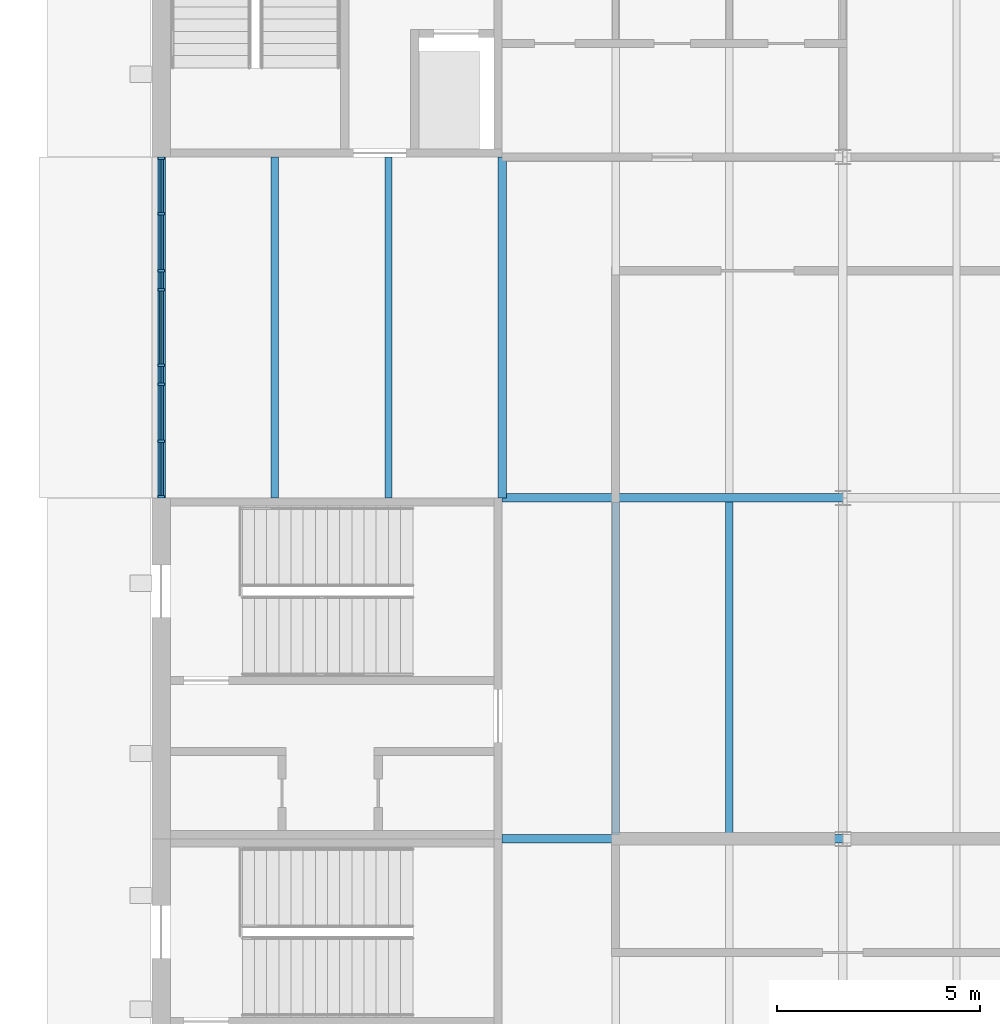
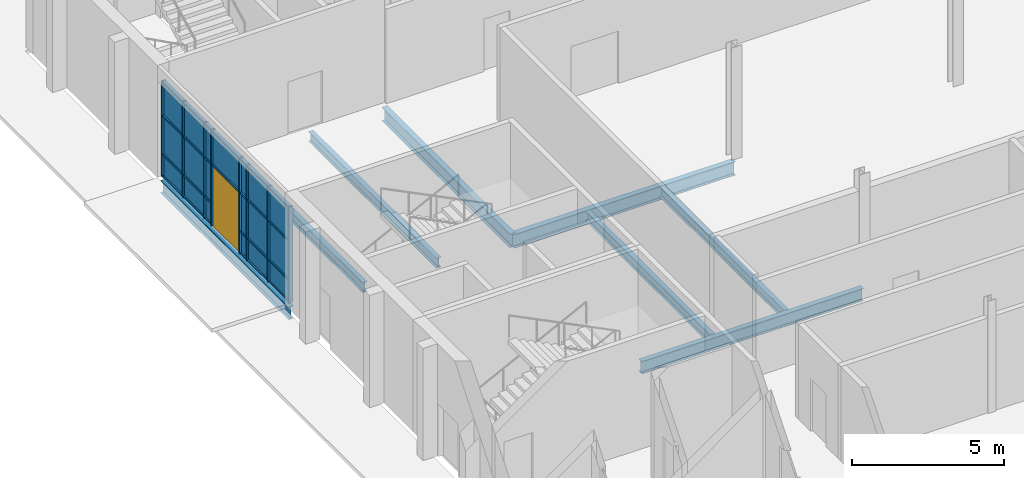
# One storey, part 52 of 116: 34 members, 19 plates, 8 beams, 1 door, 1 opening, 1 element without a shape of its own.
"""IFC4 building model written with IfcOpenShell, lengths in metres."""

from ifc_helpers import new_model, si_unit, direction, frame, frame_2d, origin, origin_2d, place, context, subcontext, project, spatial, rectangle, i_section, extrude, material, layer, layer_set, material_profile, profile_set, type_object, element, fill, aggregate, save


model = new_model("IFC4")

# Units and contexts
model_context = context("Model", 3, precision=1e-05, world=origin(), true_north=direction((0.0, 1.0)))
body_context = subcontext(model_context, "Body", "Model", "MODEL_VIEW")
ifc_project = project(units=[si_unit("LENGTHUNIT", "METRE"), si_unit("AREAUNIT", "SQUARE_METRE"), si_unit("VOLUMEUNIT", "CUBIC_METRE"), si_unit("PLANEANGLEUNIT", "RADIAN"), si_unit("MASSUNIT", "GRAM", prefix="KILO")], contexts=[model_context])

# Site, building, storey
site_placement = place(None, origin())
site = spatial("IfcSite", under=ifc_project, at=site_placement, CompositionType="ELEMENT")
building_placement = place(site_placement, origin())
building = spatial("IfcBuilding", under=site, at=building_placement, Name="Ardhachandra Cancer Care Centre", CompositionType="ELEMENT")
storey_placement = place(building_placement, origin())
storey = spatial("IfcBuildingStorey", under=building, at=storey_placement, Name="L00", CompositionType="ELEMENT", Elevation=0.0)

# Beams
ifc_material_1 = material(Name="Steel E350 (IS 2062)", Category="steel")
ifc_material_profile_1 = material_profile(ifc_material_1, i_section(OverallWidth=0.179931640625, OverallDepth=0.39990234375, WebThickness=0.008544921875, FlangeThickness=0.013427734375, FilletRadius=0.02099609375, at=origin_2d()), Name="NPB 400x180x66.30")
ifc_profile_set_1 = profile_set([ifc_material_profile_1], Name="Steel E350 (IS 2062)")
beam_type_1 = type_object("IfcBeamType", Name="Beam NPB 400x180x66.30", PredefinedType="BEAM", material=ifc_profile_set_1)
for number, where, z_axis, x_axis, name in (
    (1, (13.60009765625, 79.800048828125, -0.35009765625), (0.0, 1.0, 0.0), (-1.0, 0.0, 0.0), "Secondary J1-K1@2800"),
    (2, (16.39990234375, 79.800048828125, -0.35009765625), (0.0, 1.0, 0.0), (-1.0, 0.0, 0.0), "Secondary J1-K1@5600"),
):
    element("IfcBeam", number, at=place(storey_placement, frame(where, z_axis=z_axis, x_axis=x_axis)), inside=storey, type_object=beam_type_1, Name=name, PredefinedType="BEAM", context=body_context, shape_type="SweptSolid", body=[
        extrude(i_section(OverallWidth=0.179931640625, OverallDepth=0.39990234375, WebThickness=0.008544921875, FlangeThickness=0.013427734375, FilletRadius=0.02099609375, at=origin_2d()), origin(), (0.0, 0.0, 1.0), 8.39990234375),
    ])
for number, where, z_axis, x_axis, name in (
    (3, (22.0, 71.5, -0.35009765625), (0.0, 1.0, 0.0), (-1.0, 0.0, 0.0), "Secondary H2-J2@2800"),
    (4, (24.800048828125, 71.5, -0.35009765625), (0.0, 1.0, 0.0), (-1.0, 0.0, 0.0), "Secondary H2-J2@5600"),
):
    element("IfcBeam", number, at=place(storey_placement, frame(where, z_axis=z_axis, x_axis=x_axis)), inside=storey, type_object=beam_type_1, Name=name, PredefinedType="BEAM", context=body_context, shape_type="SweptSolid", body=[
        extrude(i_section(OverallWidth=0.179931640625, OverallDepth=0.39990234375, WebThickness=0.008544921875, FlangeThickness=0.013427734375, FilletRadius=0.02099609375, at=origin_2d()), origin(), (0.0, 0.0, 1.0), 8.195068359375),
    ])
ifc_material_2 = material(Name="Steel E350 (IS 2062)", Category="steel")
ifc_material_profile_2 = material_profile(ifc_material_2, i_section(OverallWidth=0.199951171875, OverallDepth=0.5, WebThickness=0.01025390625, FlangeThickness=0.01611328125, FilletRadius=0.02099609375, at=origin_2d()), Name="NPB 500x200x90.68")
ifc_profile_set_2 = profile_set([ifc_material_profile_2], Name="Steel E350 (IS 2062)")
beam_type_2 = type_object("IfcBeamType", Name="Beam NPB 500x200x90.68", PredefinedType="BEAM", material=ifc_profile_set_2)
beam_1_placement = place(storey_placement, frame((19.199951171875, 71.39990234375, -0.39990234375), z_axis=(1.0, 0.0, 0.0), x_axis=(0.0, 1.0, 0.0)))
element("IfcBeam", 5, at=beam_1_placement, inside=storey, type_object=beam_type_2, Name="Edge girder H2-H3", PredefinedType="BEAM", context=body_context, shape_type="SweptSolid", body=[
    extrude(i_section(OverallWidth=0.199951171875, OverallDepth=0.5, WebThickness=0.01025390625, FlangeThickness=0.01611328125, FilletRadius=0.02099609375, at=origin_2d()), origin(), (0.0, 0.0, 1.0), 8.400146484375),
])
beam_2_placement = place(storey_placement, frame((10.800048828125, 79.800048828125, -0.39990234375), z_axis=(0.0, 1.0, 0.0), x_axis=(-1.0, 0.0, 0.0)))
element("IfcBeam", 6, at=beam_2_placement, inside=storey, type_object=beam_type_2, Name="Edge girder J1-K1", PredefinedType="BEAM", context=body_context, shape_type="SweptSolid", body=[
    extrude(i_section(OverallWidth=0.199951171875, OverallDepth=0.5, WebThickness=0.01025390625, FlangeThickness=0.01611328125, FilletRadius=0.02099609375, at=origin_2d()), origin(), (0.0, 0.0, 1.0), 8.39990234375),
])
ifc_material_3 = material(Name="Steel E350 (IS 2062)", Category="steel")
ifc_material_profile_3 = material_profile(ifc_material_3, i_section(OverallWidth=0.2099609375, OverallDepth=0.550048828125, WebThickness=0.010986328125, FlangeThickness=0.01708984375, FilletRadius=0.02392578125, at=origin_2d()), Name="NPB 550x210x105.52")
ifc_profile_set_3 = profile_set([ifc_material_profile_3], Name="Steel E350 (IS 2062)")
beam_type_3 = type_object("IfcBeamType", Name="Beam NPB 550x210x105.52", PredefinedType="BEAM", material=ifc_profile_set_3)
beam_3_placement = place(storey_placement, frame((19.199951171875, 79.800048828125, -0.425048828125), z_axis=(1.0, 0.0, 0.0), x_axis=(0.0, 1.0, 0.0)))
element("IfcBeam", 7, at=beam_3_placement, inside=storey, type_object=beam_type_3, Name="Girder J2-J3", PredefinedType="BEAM", context=body_context, shape_type="SweptSolid", body=[
    extrude(i_section(OverallWidth=0.2099609375, OverallDepth=0.550048828125, WebThickness=0.010986328125, FlangeThickness=0.01708984375, FilletRadius=0.02392578125, at=origin_2d()), origin(), (0.0, 0.0, 1.0), 8.400146484375),
])
beam_4_placement = place(storey_placement, frame((19.199951171875, 79.800048828125, -0.425048828125), z_axis=(0.0, 1.0, 0.0), x_axis=(-1.0, 0.0, 0.0)))
element("IfcBeam", 8, at=beam_4_placement, inside=storey, type_object=beam_type_3, Name="Girder J2-K2", PredefinedType="BEAM", context=body_context, shape_type="SweptSolid", body=[
    extrude(i_section(OverallWidth=0.2099609375, OverallDepth=0.550048828125, WebThickness=0.010986328125, FlangeThickness=0.01708984375, FilletRadius=0.02392578125, at=origin_2d()), origin(), (0.0, 0.0, 1.0), 8.39990234375),
])

# Curtain wall, opening, members, plates, door
ifc_material_4 = material(Name="Aluminium extrusion", Category="aluminium")
ifc_layer_1 = layer(ifc_material_4, 0.14990234375)
ifc_layer_set_1 = layer_set([ifc_layer_1], Name="Aluminium extrusion")
curtain_wall_type = type_object("IfcCurtainWallType", Name="Curtain wall run", PredefinedType="NOTDEFINED", material=ifc_layer_set_1)
curtain_wall_placement = place(storey_placement, frame((10.800048828125, 79.800048828125, 0.0), z_axis=(0.0, 0.0, 1.0), x_axis=(0.0, 1.0, 0.0)))
curtain_wall = element("IfcCurtainWall", 9, at=curtain_wall_placement, inside=storey, type_object=curtain_wall_type, Name="Curtain wall L00 w/0010800_0079800", PredefinedType="NOTDEFINED")
opening_placement = place(curtain_wall_placement, frame((3.300048828125, 0.0, 0.0)))
opening = element("IfcOpeningElement", 10, at=opening_placement, cuts=curtain_wall, Name="Opening L00-X05", PredefinedType="OPENING", context=body_context, shape_type="SweptSolid", body=[
    extrude(rectangle(XDim=1.800048828125, YDim=2.39990234375, at=frame_2d((0.89990234375, 1.199951171875))), frame((0.0, 0.0849609375, 0.0), z_axis=(0.0, -1.0, 0.0), x_axis=(1.0, 0.0, 0.0)), (0.0, 0.0, 1.0), 0.169921875),
])
ifc_material_5 = material(Name="Aluminium extrusion", Category="aluminium")
ifc_material_profile_4 = material_profile(ifc_material_5, rectangle(XDim=0.159912109375, YDim=0.06005859375, at=origin_2d()), Name="Curtain wall mullion 60 x 160")
ifc_profile_set_4 = profile_set([ifc_material_profile_4], Name="Aluminium extrusion")
member_type_1 = type_object("IfcMemberType", Name="Curtain wall mullion 60 x 160", PredefinedType="MULLION", material=ifc_profile_set_4)
member_1_placement = place(storey_placement, frame((10.800048828125, 79.830078125, 0.0), z_axis=(0.0, 0.0, 1.0), x_axis=(-1.0, 0.0, 0.0)))
member_1 = element("IfcMember", 11, at=member_1_placement, type_object=member_type_1, Name="CW mullion 1", PredefinedType="MULLION", context=body_context, shape_type="SweptSolid", body=[
    extrude(rectangle(XDim=0.159912109375, YDim=0.06005859375, at=origin_2d()), origin(), (0.0, 0.0, 1.0), 3.85009765625),
])
member_2_placement = place(storey_placement, frame((10.800048828125, 81.199951171875, 0.0), z_axis=(0.0, 0.0, 1.0), x_axis=(-1.0, 0.0, 0.0)))
member_2 = element("IfcMember", 12, at=member_2_placement, type_object=member_type_1, Name="CW mullion 2", PredefinedType="MULLION", context=body_context, shape_type="SweptSolid", body=[
    extrude(rectangle(XDim=0.159912109375, YDim=0.06005859375, at=origin_2d()), origin(), (0.0, 0.0, 1.0), 3.85009765625),
])
member_3_placement = place(storey_placement, frame((10.800048828125, 82.60009765625, 0.0), z_axis=(0.0, 0.0, 1.0), x_axis=(-1.0, 0.0, 0.0)))
member_3 = element("IfcMember", 13, at=member_3_placement, type_object=member_type_1, Name="CW mullion 3", PredefinedType="MULLION", context=body_context, shape_type="SweptSolid", body=[
    extrude(rectangle(XDim=0.159912109375, YDim=0.06005859375, at=origin_2d()), origin(), (0.0, 0.0, 1.0), 3.85009765625),
])
member_4_placement = place(storey_placement, frame((10.800048828125, 83.070068359375, 0.0), z_axis=(0.0, 0.0, 1.0), x_axis=(-1.0, 0.0, 0.0)))
member_4 = element("IfcMember", 14, at=member_4_placement, type_object=member_type_1, Name="CW mullion 4", PredefinedType="MULLION", context=body_context, shape_type="SweptSolid", body=[
    extrude(rectangle(XDim=0.159912109375, YDim=0.06005859375, at=origin_2d()), origin(), (0.0, 0.0, 1.0), 3.85009765625),
])
member_5_placement = place(storey_placement, frame((10.800048828125, 84.929931640625, 0.0), z_axis=(0.0, 0.0, 1.0), x_axis=(-1.0, 0.0, 0.0)))
member_5 = element("IfcMember", 15, at=member_5_placement, type_object=member_type_1, Name="CW mullion 5", PredefinedType="MULLION", context=body_context, shape_type="SweptSolid", body=[
    extrude(rectangle(XDim=0.159912109375, YDim=0.06005859375, at=origin_2d()), origin(), (0.0, 0.0, 1.0), 3.85009765625),
])
member_6_placement = place(storey_placement, frame((10.800048828125, 85.39990234375, 0.0), z_axis=(0.0, 0.0, 1.0), x_axis=(-1.0, 0.0, 0.0)))
member_6 = element("IfcMember", 16, at=member_6_placement, type_object=member_type_1, Name="CW mullion 6", PredefinedType="MULLION", context=body_context, shape_type="SweptSolid", body=[
    extrude(rectangle(XDim=0.159912109375, YDim=0.06005859375, at=origin_2d()), origin(), (0.0, 0.0, 1.0), 3.85009765625),
])
member_7_placement = place(storey_placement, frame((10.800048828125, 86.800048828125, 0.0), z_axis=(0.0, 0.0, 1.0), x_axis=(-1.0, 0.0, 0.0)))
member_7 = element("IfcMember", 17, at=member_7_placement, type_object=member_type_1, Name="CW mullion 7", PredefinedType="MULLION", context=body_context, shape_type="SweptSolid", body=[
    extrude(rectangle(XDim=0.159912109375, YDim=0.06005859375, at=origin_2d()), origin(), (0.0, 0.0, 1.0), 3.85009765625),
])
member_8_placement = place(storey_placement, frame((10.800048828125, 88.169921875, 0.0), z_axis=(0.0, 0.0, 1.0), x_axis=(-1.0, 0.0, 0.0)))
member_8 = element("IfcMember", 18, at=member_8_placement, type_object=member_type_1, Name="CW mullion 8", PredefinedType="MULLION", context=body_context, shape_type="SweptSolid", body=[
    extrude(rectangle(XDim=0.159912109375, YDim=0.06005859375, at=origin_2d()), origin(), (0.0, 0.0, 1.0), 3.85009765625),
])
ifc_material_6 = material(Name="Aluminium extrusion", Category="aluminium")
ifc_material_profile_5 = material_profile(ifc_material_6, rectangle(XDim=0.1201171875, YDim=0.06005859375, at=origin_2d()), Name="Curtain wall transom 60 x 120")
ifc_profile_set_5 = profile_set([ifc_material_profile_5], Name="Aluminium extrusion")
member_type_2 = type_object("IfcMemberType", Name="Curtain wall transom 60 x 120", PredefinedType="USERDEFINED", material=ifc_profile_set_5)
member_9_placement = place(storey_placement, frame((10.800048828125, 79.860107421875, 0.030029296875), z_axis=(0.0, 1.0, 0.0), x_axis=(-1.0, 0.0, 0.0)))
member_9 = element("IfcMember", 19, at=member_9_placement, type_object=member_type_2, Name="CW transom 1.1", ObjectType="TRANSOM", PredefinedType="USERDEFINED", context=body_context, shape_type="SweptSolid", body=[
    extrude(rectangle(XDim=0.1201171875, YDim=0.06005859375, at=origin_2d()), origin(), (0.0, 0.0, 1.0), 1.309814453125),
])
member_10_placement = place(storey_placement, frame((10.800048828125, 79.860107421875, 0.89990234375), z_axis=(0.0, 1.0, 0.0), x_axis=(-1.0, 0.0, 0.0)))
member_10 = element("IfcMember", 20, at=member_10_placement, type_object=member_type_2, Name="CW transom 1.2", ObjectType="TRANSOM", PredefinedType="USERDEFINED", context=body_context, shape_type="SweptSolid", body=[
    extrude(rectangle(XDim=0.1201171875, YDim=0.06005859375, at=origin_2d()), origin(), (0.0, 0.0, 1.0), 1.309814453125),
])
member_11_placement = place(storey_placement, frame((10.800048828125, 79.860107421875, 2.4599609375), z_axis=(0.0, 1.0, 0.0), x_axis=(-1.0, 0.0, 0.0)))
member_11 = element("IfcMember", 21, at=member_11_placement, type_object=member_type_2, Name="CW transom 1.3", ObjectType="TRANSOM", PredefinedType="USERDEFINED", context=body_context, shape_type="SweptSolid", body=[
    extrude(rectangle(XDim=0.1201171875, YDim=0.06005859375, at=origin_2d()), origin(), (0.0, 0.0, 1.0), 1.309814453125),
])
member_12_placement = place(storey_placement, frame((10.800048828125, 79.860107421875, 3.820068359375), z_axis=(0.0, 1.0, 0.0), x_axis=(-1.0, 0.0, 0.0)))
member_12 = element("IfcMember", 22, at=member_12_placement, type_object=member_type_2, Name="CW transom 1.4", ObjectType="TRANSOM", PredefinedType="USERDEFINED", context=body_context, shape_type="SweptSolid", body=[
    extrude(rectangle(XDim=0.1201171875, YDim=0.06005859375, at=origin_2d()), origin(), (0.0, 0.0, 1.0), 1.309814453125),
])
member_13_placement = place(storey_placement, frame((10.800048828125, 81.22998046875, 0.030029296875), z_axis=(0.0, 1.0, 0.0), x_axis=(-1.0, 0.0, 0.0)))
member_13 = element("IfcMember", 23, at=member_13_placement, type_object=member_type_2, Name="CW transom 2.1", ObjectType="TRANSOM", PredefinedType="USERDEFINED", context=body_context, shape_type="SweptSolid", body=[
    extrude(rectangle(XDim=0.1201171875, YDim=0.06005859375, at=origin_2d()), origin(), (0.0, 0.0, 1.0), 1.340087890625),
])
member_14_placement = place(storey_placement, frame((10.800048828125, 81.22998046875, 0.89990234375), z_axis=(0.0, 1.0, 0.0), x_axis=(-1.0, 0.0, 0.0)))
member_14 = element("IfcMember", 24, at=member_14_placement, type_object=member_type_2, Name="CW transom 2.2", ObjectType="TRANSOM", PredefinedType="USERDEFINED", context=body_context, shape_type="SweptSolid", body=[
    extrude(rectangle(XDim=0.1201171875, YDim=0.06005859375, at=origin_2d()), origin(), (0.0, 0.0, 1.0), 1.340087890625),
])
member_15_placement = place(storey_placement, frame((10.800048828125, 81.22998046875, 2.4599609375), z_axis=(0.0, 1.0, 0.0), x_axis=(-1.0, 0.0, 0.0)))
member_15 = element("IfcMember", 25, at=member_15_placement, type_object=member_type_2, Name="CW transom 2.3", ObjectType="TRANSOM", PredefinedType="USERDEFINED", context=body_context, shape_type="SweptSolid", body=[
    extrude(rectangle(XDim=0.1201171875, YDim=0.06005859375, at=origin_2d()), origin(), (0.0, 0.0, 1.0), 1.340087890625),
])
member_16_placement = place(storey_placement, frame((10.800048828125, 81.22998046875, 3.820068359375), z_axis=(0.0, 1.0, 0.0), x_axis=(-1.0, 0.0, 0.0)))
member_16 = element("IfcMember", 26, at=member_16_placement, type_object=member_type_2, Name="CW transom 2.4", ObjectType="TRANSOM", PredefinedType="USERDEFINED", context=body_context, shape_type="SweptSolid", body=[
    extrude(rectangle(XDim=0.1201171875, YDim=0.06005859375, at=origin_2d()), origin(), (0.0, 0.0, 1.0), 1.340087890625),
])
member_17_placement = place(storey_placement, frame((10.800048828125, 82.6298828125, 0.030029296875), z_axis=(0.0, 1.0, 0.0), x_axis=(-1.0, 0.0, 0.0)))
member_17 = element("IfcMember", 27, at=member_17_placement, type_object=member_type_2, Name="CW transom 3.1", ObjectType="TRANSOM", PredefinedType="USERDEFINED", context=body_context, shape_type="SweptSolid", body=[
    extrude(rectangle(XDim=0.1201171875, YDim=0.06005859375, at=origin_2d()), origin(), (0.0, 0.0, 1.0), 0.41015625),
])
member_18_placement = place(storey_placement, frame((10.800048828125, 82.6298828125, 0.89990234375), z_axis=(0.0, 1.0, 0.0), x_axis=(-1.0, 0.0, 0.0)))
member_18 = element("IfcMember", 28, at=member_18_placement, type_object=member_type_2, Name="CW transom 3.2", ObjectType="TRANSOM", PredefinedType="USERDEFINED", context=body_context, shape_type="SweptSolid", body=[
    extrude(rectangle(XDim=0.1201171875, YDim=0.06005859375, at=origin_2d()), origin(), (0.0, 0.0, 1.0), 0.41015625),
])
member_19_placement = place(storey_placement, frame((10.800048828125, 82.6298828125, 2.4599609375), z_axis=(0.0, 1.0, 0.0), x_axis=(-1.0, 0.0, 0.0)))
member_19 = element("IfcMember", 29, at=member_19_placement, type_object=member_type_2, Name="CW transom 3.3", ObjectType="TRANSOM", PredefinedType="USERDEFINED", context=body_context, shape_type="SweptSolid", body=[
    extrude(rectangle(XDim=0.1201171875, YDim=0.06005859375, at=origin_2d()), origin(), (0.0, 0.0, 1.0), 0.41015625),
])
member_20_placement = place(storey_placement, frame((10.800048828125, 82.6298828125, 3.820068359375), z_axis=(0.0, 1.0, 0.0), x_axis=(-1.0, 0.0, 0.0)))
member_20 = element("IfcMember", 30, at=member_20_placement, type_object=member_type_2, Name="CW transom 3.4", ObjectType="TRANSOM", PredefinedType="USERDEFINED", context=body_context, shape_type="SweptSolid", body=[
    extrude(rectangle(XDim=0.1201171875, YDim=0.06005859375, at=origin_2d()), origin(), (0.0, 0.0, 1.0), 0.41015625),
])
member_21_placement = place(storey_placement, frame((10.800048828125, 83.10009765625, 2.4599609375), z_axis=(0.0, 1.0, 0.0), x_axis=(-1.0, 0.0, 0.0)))
member_21 = element("IfcMember", 31, at=member_21_placement, type_object=member_type_2, Name="CW transom 4.1", ObjectType="TRANSOM", PredefinedType="USERDEFINED", context=body_context, shape_type="SweptSolid", body=[
    extrude(rectangle(XDim=0.1201171875, YDim=0.06005859375, at=origin_2d()), origin(), (0.0, 0.0, 1.0), 1.7998046875),
])
member_22_placement = place(storey_placement, frame((10.800048828125, 83.10009765625, 3.820068359375), z_axis=(0.0, 1.0, 0.0), x_axis=(-1.0, 0.0, 0.0)))
member_22 = element("IfcMember", 32, at=member_22_placement, type_object=member_type_2, Name="CW transom 4.2", ObjectType="TRANSOM", PredefinedType="USERDEFINED", context=body_context, shape_type="SweptSolid", body=[
    extrude(rectangle(XDim=0.1201171875, YDim=0.06005859375, at=origin_2d()), origin(), (0.0, 0.0, 1.0), 1.7998046875),
])
member_23_placement = place(storey_placement, frame((10.800048828125, 84.9599609375, 0.030029296875), z_axis=(0.0, 1.0, 0.0), x_axis=(-1.0, 0.0, 0.0)))
member_23 = element("IfcMember", 33, at=member_23_placement, type_object=member_type_2, Name="CW transom 5.1", ObjectType="TRANSOM", PredefinedType="USERDEFINED", context=body_context, shape_type="SweptSolid", body=[
    extrude(rectangle(XDim=0.1201171875, YDim=0.06005859375, at=origin_2d()), origin(), (0.0, 0.0, 1.0), 0.41015625),
])
member_24_placement = place(storey_placement, frame((10.800048828125, 84.9599609375, 0.89990234375), z_axis=(0.0, 1.0, 0.0), x_axis=(-1.0, 0.0, 0.0)))
member_24 = element("IfcMember", 34, at=member_24_placement, type_object=member_type_2, Name="CW transom 5.2", ObjectType="TRANSOM", PredefinedType="USERDEFINED", context=body_context, shape_type="SweptSolid", body=[
    extrude(rectangle(XDim=0.1201171875, YDim=0.06005859375, at=origin_2d()), origin(), (0.0, 0.0, 1.0), 0.41015625),
])
member_25_placement = place(storey_placement, frame((10.800048828125, 84.9599609375, 2.4599609375), z_axis=(0.0, 1.0, 0.0), x_axis=(-1.0, 0.0, 0.0)))
member_25 = element("IfcMember", 35, at=member_25_placement, type_object=member_type_2, Name="CW transom 5.3", ObjectType="TRANSOM", PredefinedType="USERDEFINED", context=body_context, shape_type="SweptSolid", body=[
    extrude(rectangle(XDim=0.1201171875, YDim=0.06005859375, at=origin_2d()), origin(), (0.0, 0.0, 1.0), 0.41015625),
])
member_26_placement = place(storey_placement, frame((10.800048828125, 84.9599609375, 3.820068359375), z_axis=(0.0, 1.0, 0.0), x_axis=(-1.0, 0.0, 0.0)))
member_26 = element("IfcMember", 36, at=member_26_placement, type_object=member_type_2, Name="CW transom 5.4", ObjectType="TRANSOM", PredefinedType="USERDEFINED", context=body_context, shape_type="SweptSolid", body=[
    extrude(rectangle(XDim=0.1201171875, YDim=0.06005859375, at=origin_2d()), origin(), (0.0, 0.0, 1.0), 0.41015625),
])
member_27_placement = place(storey_placement, frame((10.800048828125, 85.429931640625, 0.030029296875), z_axis=(0.0, 1.0, 0.0), x_axis=(-1.0, 0.0, 0.0)))
member_27 = element("IfcMember", 37, at=member_27_placement, type_object=member_type_2, Name="CW transom 6.1", ObjectType="TRANSOM", PredefinedType="USERDEFINED", context=body_context, shape_type="SweptSolid", body=[
    extrude(rectangle(XDim=0.1201171875, YDim=0.06005859375, at=origin_2d()), origin(), (0.0, 0.0, 1.0), 1.340087890625),
])
member_28_placement = place(storey_placement, frame((10.800048828125, 85.429931640625, 0.89990234375), z_axis=(0.0, 1.0, 0.0), x_axis=(-1.0, 0.0, 0.0)))
member_28 = element("IfcMember", 38, at=member_28_placement, type_object=member_type_2, Name="CW transom 6.2", ObjectType="TRANSOM", PredefinedType="USERDEFINED", context=body_context, shape_type="SweptSolid", body=[
    extrude(rectangle(XDim=0.1201171875, YDim=0.06005859375, at=origin_2d()), origin(), (0.0, 0.0, 1.0), 1.340087890625),
])
member_29_placement = place(storey_placement, frame((10.800048828125, 85.429931640625, 2.4599609375), z_axis=(0.0, 1.0, 0.0), x_axis=(-1.0, 0.0, 0.0)))
member_29 = element("IfcMember", 39, at=member_29_placement, type_object=member_type_2, Name="CW transom 6.3", ObjectType="TRANSOM", PredefinedType="USERDEFINED", context=body_context, shape_type="SweptSolid", body=[
    extrude(rectangle(XDim=0.1201171875, YDim=0.06005859375, at=origin_2d()), origin(), (0.0, 0.0, 1.0), 1.340087890625),
])
member_30_placement = place(storey_placement, frame((10.800048828125, 85.429931640625, 3.820068359375), z_axis=(0.0, 1.0, 0.0), x_axis=(-1.0, 0.0, 0.0)))
member_30 = element("IfcMember", 40, at=member_30_placement, type_object=member_type_2, Name="CW transom 6.4", ObjectType="TRANSOM", PredefinedType="USERDEFINED", context=body_context, shape_type="SweptSolid", body=[
    extrude(rectangle(XDim=0.1201171875, YDim=0.06005859375, at=origin_2d()), origin(), (0.0, 0.0, 1.0), 1.340087890625),
])
member_31_placement = place(storey_placement, frame((10.800048828125, 86.830078125, 0.030029296875), z_axis=(0.0, 1.0, 0.0), x_axis=(-1.0, 0.0, 0.0)))
member_31 = element("IfcMember", 41, at=member_31_placement, type_object=member_type_2, Name="CW transom 7.1", ObjectType="TRANSOM", PredefinedType="USERDEFINED", context=body_context, shape_type="SweptSolid", body=[
    extrude(rectangle(XDim=0.1201171875, YDim=0.06005859375, at=origin_2d()), origin(), (0.0, 0.0, 1.0), 1.309814453125),
])
member_32_placement = place(storey_placement, frame((10.800048828125, 86.830078125, 0.89990234375), z_axis=(0.0, 1.0, 0.0), x_axis=(-1.0, 0.0, 0.0)))
member_32 = element("IfcMember", 42, at=member_32_placement, type_object=member_type_2, Name="CW transom 7.2", ObjectType="TRANSOM", PredefinedType="USERDEFINED", context=body_context, shape_type="SweptSolid", body=[
    extrude(rectangle(XDim=0.1201171875, YDim=0.06005859375, at=origin_2d()), origin(), (0.0, 0.0, 1.0), 1.309814453125),
])
member_33_placement = place(storey_placement, frame((10.800048828125, 86.830078125, 2.4599609375), z_axis=(0.0, 1.0, 0.0), x_axis=(-1.0, 0.0, 0.0)))
member_33 = element("IfcMember", 43, at=member_33_placement, type_object=member_type_2, Name="CW transom 7.3", ObjectType="TRANSOM", PredefinedType="USERDEFINED", context=body_context, shape_type="SweptSolid", body=[
    extrude(rectangle(XDim=0.1201171875, YDim=0.06005859375, at=origin_2d()), origin(), (0.0, 0.0, 1.0), 1.309814453125),
])
member_34_placement = place(storey_placement, frame((10.800048828125, 86.830078125, 3.820068359375), z_axis=(0.0, 1.0, 0.0), x_axis=(-1.0, 0.0, 0.0)))
member_34 = element("IfcMember", 44, at=member_34_placement, type_object=member_type_2, Name="CW transom 7.4", ObjectType="TRANSOM", PredefinedType="USERDEFINED", context=body_context, shape_type="SweptSolid", body=[
    extrude(rectangle(XDim=0.1201171875, YDim=0.06005859375, at=origin_2d()), origin(), (0.0, 0.0, 1.0), 1.309814453125),
])
ifc_material_7 = material(Name="Low-iron double-glazed unit")
ifc_layer_2 = layer(ifc_material_7, 0.028076171875)
ifc_layer_set_2 = layer_set([ifc_layer_2], Name="Low-iron double-glazed unit")
plate_type_1 = type_object("IfcPlateType", Name="Curtain wall glazing 28", PredefinedType="CURTAIN_PANEL", material=ifc_layer_set_2)
plate_1_placement = place(storey_placement, frame((10.800048828125, 80.514892578125, 0.929931640625), z_axis=(0.0, 0.0, 1.0), x_axis=(0.0, 1.0, 0.0)))
plate_1 = element("IfcPlate", 45, at=plate_1_placement, type_object=plate_type_1, Name="CW panel 1.2", PredefinedType="CURTAIN_PANEL", context=body_context, shape_type="SweptSolid", body=[
    extrude(rectangle(XDim=1.31005859375, YDim=0.028076171875, at=origin_2d()), origin(), (0.0, 0.0, 1.0), 1.5),
])
plate_2_placement = place(storey_placement, frame((10.800048828125, 80.514892578125, 2.48974609375), z_axis=(0.0, 0.0, 1.0), x_axis=(0.0, 1.0, 0.0)))
plate_2 = element("IfcPlate", 46, at=plate_2_placement, type_object=plate_type_1, Name="CW panel 1.3", PredefinedType="CURTAIN_PANEL", context=body_context, shape_type="SweptSolid", body=[
    extrude(rectangle(XDim=1.31005859375, YDim=0.028076171875, at=origin_2d()), origin(), (0.0, 0.0, 1.0), 1.300048828125),
])
plate_3_placement = place(storey_placement, frame((10.800048828125, 81.89990234375, 0.929931640625), z_axis=(0.0, 0.0, 1.0), x_axis=(0.0, 1.0, 0.0)))
plate_3 = element("IfcPlate", 47, at=plate_3_placement, type_object=plate_type_1, Name="CW panel 2.2", PredefinedType="CURTAIN_PANEL", context=body_context, shape_type="SweptSolid", body=[
    extrude(rectangle(XDim=1.340087890625, YDim=0.028076171875, at=origin_2d()), origin(), (0.0, 0.0, 1.0), 1.5),
])
plate_4_placement = place(storey_placement, frame((10.800048828125, 81.89990234375, 2.48974609375), z_axis=(0.0, 0.0, 1.0), x_axis=(0.0, 1.0, 0.0)))
plate_4 = element("IfcPlate", 48, at=plate_4_placement, type_object=plate_type_1, Name="CW panel 2.3", PredefinedType="CURTAIN_PANEL", context=body_context, shape_type="SweptSolid", body=[
    extrude(rectangle(XDim=1.340087890625, YDim=0.028076171875, at=origin_2d()), origin(), (0.0, 0.0, 1.0), 1.300048828125),
])
plate_5_placement = place(storey_placement, frame((10.800048828125, 82.8349609375, 0.929931640625), z_axis=(0.0, 0.0, 1.0), x_axis=(0.0, 1.0, 0.0)))
plate_5 = element("IfcPlate", 49, at=plate_5_placement, type_object=plate_type_1, Name="CW panel 3.2", PredefinedType="CURTAIN_PANEL", context=body_context, shape_type="SweptSolid", body=[
    extrude(rectangle(XDim=0.409912109375, YDim=0.028076171875, at=origin_2d()), origin(), (0.0, 0.0, 1.0), 1.5),
])
plate_6_placement = place(storey_placement, frame((10.800048828125, 82.8349609375, 2.48974609375), z_axis=(0.0, 0.0, 1.0), x_axis=(0.0, 1.0, 0.0)))
plate_6 = element("IfcPlate", 50, at=plate_6_placement, type_object=plate_type_1, Name="CW panel 3.3", PredefinedType="CURTAIN_PANEL", context=body_context, shape_type="SweptSolid", body=[
    extrude(rectangle(XDim=0.409912109375, YDim=0.028076171875, at=origin_2d()), origin(), (0.0, 0.0, 1.0), 1.300048828125),
])
plate_7_placement = place(storey_placement, frame((10.800048828125, 84.0, 2.48974609375), z_axis=(0.0, 0.0, 1.0), x_axis=(0.0, 1.0, 0.0)))
plate_7 = element("IfcPlate", 51, at=plate_7_placement, type_object=plate_type_1, Name="CW panel 4.1", PredefinedType="CURTAIN_PANEL", context=body_context, shape_type="SweptSolid", body=[
    extrude(rectangle(XDim=1.800048828125, YDim=0.028076171875, at=origin_2d()), origin(), (0.0, 0.0, 1.0), 1.300048828125),
])
plate_8_placement = place(storey_placement, frame((10.800048828125, 85.1650390625, 0.929931640625), z_axis=(0.0, 0.0, 1.0), x_axis=(0.0, 1.0, 0.0)))
plate_8 = element("IfcPlate", 52, at=plate_8_placement, type_object=plate_type_1, Name="CW panel 5.2", PredefinedType="CURTAIN_PANEL", context=body_context, shape_type="SweptSolid", body=[
    extrude(rectangle(XDim=0.409912109375, YDim=0.028076171875, at=origin_2d()), origin(), (0.0, 0.0, 1.0), 1.5),
])
plate_9_placement = place(storey_placement, frame((10.800048828125, 85.1650390625, 2.48974609375), z_axis=(0.0, 0.0, 1.0), x_axis=(0.0, 1.0, 0.0)))
plate_9 = element("IfcPlate", 53, at=plate_9_placement, type_object=plate_type_1, Name="CW panel 5.3", PredefinedType="CURTAIN_PANEL", context=body_context, shape_type="SweptSolid", body=[
    extrude(rectangle(XDim=0.409912109375, YDim=0.028076171875, at=origin_2d()), origin(), (0.0, 0.0, 1.0), 1.300048828125),
])
plate_10_placement = place(storey_placement, frame((10.800048828125, 86.10009765625, 0.929931640625), z_axis=(0.0, 0.0, 1.0), x_axis=(0.0, 1.0, 0.0)))
plate_10 = element("IfcPlate", 54, at=plate_10_placement, type_object=plate_type_1, Name="CW panel 6.2", PredefinedType="CURTAIN_PANEL", context=body_context, shape_type="SweptSolid", body=[
    extrude(rectangle(XDim=1.340087890625, YDim=0.028076171875, at=origin_2d()), origin(), (0.0, 0.0, 1.0), 1.5),
])
plate_11_placement = place(storey_placement, frame((10.800048828125, 86.10009765625, 2.48974609375), z_axis=(0.0, 0.0, 1.0), x_axis=(0.0, 1.0, 0.0)))
plate_11 = element("IfcPlate", 55, at=plate_11_placement, type_object=plate_type_1, Name="CW panel 6.3", PredefinedType="CURTAIN_PANEL", context=body_context, shape_type="SweptSolid", body=[
    extrude(rectangle(XDim=1.340087890625, YDim=0.028076171875, at=origin_2d()), origin(), (0.0, 0.0, 1.0), 1.300048828125),
])
plate_12_placement = place(storey_placement, frame((10.800048828125, 87.485107421875, 0.929931640625), z_axis=(0.0, 0.0, 1.0), x_axis=(0.0, 1.0, 0.0)))
plate_12 = element("IfcPlate", 56, at=plate_12_placement, type_object=plate_type_1, Name="CW panel 7.2", PredefinedType="CURTAIN_PANEL", context=body_context, shape_type="SweptSolid", body=[
    extrude(rectangle(XDim=1.31005859375, YDim=0.028076171875, at=origin_2d()), origin(), (0.0, 0.0, 1.0), 1.5),
])
plate_13_placement = place(storey_placement, frame((10.800048828125, 87.485107421875, 2.48974609375), z_axis=(0.0, 0.0, 1.0), x_axis=(0.0, 1.0, 0.0)))
plate_13 = element("IfcPlate", 57, at=plate_13_placement, type_object=plate_type_1, Name="CW panel 7.3", PredefinedType="CURTAIN_PANEL", context=body_context, shape_type="SweptSolid", body=[
    extrude(rectangle(XDim=1.31005859375, YDim=0.028076171875, at=origin_2d()), origin(), (0.0, 0.0, 1.0), 1.300048828125),
])
ifc_material_8 = material(Name="Aluminium composite spandrel panel", Category="aluminium")
ifc_layer_3 = layer(ifc_material_8, 0.028076171875)
ifc_layer_set_3 = layer_set([ifc_layer_3], Name="Aluminium composite spandrel panel")
plate_type_2 = type_object("IfcPlateType", Name="Curtain wall spandrel panel 28", PredefinedType="CURTAIN_PANEL", material=ifc_layer_set_3)
plate_14_placement = place(storey_placement, frame((10.800048828125, 80.514892578125, 0.06005859375), z_axis=(0.0, 0.0, 1.0), x_axis=(0.0, 1.0, 0.0)))
plate_14 = element("IfcPlate", 58, at=plate_14_placement, type_object=plate_type_2, Name="CW panel 1.1", PredefinedType="CURTAIN_PANEL", context=body_context, shape_type="SweptSolid", body=[
    extrude(rectangle(XDim=1.31005859375, YDim=0.028076171875, at=origin_2d()), origin(), (0.0, 0.0, 1.0), 0.81005859375),
])
plate_15_placement = place(storey_placement, frame((10.800048828125, 81.89990234375, 0.06005859375), z_axis=(0.0, 0.0, 1.0), x_axis=(0.0, 1.0, 0.0)))
plate_15 = element("IfcPlate", 59, at=plate_15_placement, type_object=plate_type_2, Name="CW panel 2.1", PredefinedType="CURTAIN_PANEL", context=body_context, shape_type="SweptSolid", body=[
    extrude(rectangle(XDim=1.340087890625, YDim=0.028076171875, at=origin_2d()), origin(), (0.0, 0.0, 1.0), 0.81005859375),
])
plate_16_placement = place(storey_placement, frame((10.800048828125, 82.8349609375, 0.06005859375), z_axis=(0.0, 0.0, 1.0), x_axis=(0.0, 1.0, 0.0)))
plate_16 = element("IfcPlate", 60, at=plate_16_placement, type_object=plate_type_2, Name="CW panel 3.1", PredefinedType="CURTAIN_PANEL", context=body_context, shape_type="SweptSolid", body=[
    extrude(rectangle(XDim=0.409912109375, YDim=0.028076171875, at=origin_2d()), origin(), (0.0, 0.0, 1.0), 0.81005859375),
])
plate_17_placement = place(storey_placement, frame((10.800048828125, 85.1650390625, 0.06005859375), z_axis=(0.0, 0.0, 1.0), x_axis=(0.0, 1.0, 0.0)))
plate_17 = element("IfcPlate", 61, at=plate_17_placement, type_object=plate_type_2, Name="CW panel 5.1", PredefinedType="CURTAIN_PANEL", context=body_context, shape_type="SweptSolid", body=[
    extrude(rectangle(XDim=0.409912109375, YDim=0.028076171875, at=origin_2d()), origin(), (0.0, 0.0, 1.0), 0.81005859375),
])
plate_18_placement = place(storey_placement, frame((10.800048828125, 86.10009765625, 0.06005859375), z_axis=(0.0, 0.0, 1.0), x_axis=(0.0, 1.0, 0.0)))
plate_18 = element("IfcPlate", 62, at=plate_18_placement, type_object=plate_type_2, Name="CW panel 6.1", PredefinedType="CURTAIN_PANEL", context=body_context, shape_type="SweptSolid", body=[
    extrude(rectangle(XDim=1.340087890625, YDim=0.028076171875, at=origin_2d()), origin(), (0.0, 0.0, 1.0), 0.81005859375),
])
plate_19_placement = place(storey_placement, frame((10.800048828125, 87.485107421875, 0.06005859375), z_axis=(0.0, 0.0, 1.0), x_axis=(0.0, 1.0, 0.0)))
plate_19 = element("IfcPlate", 63, at=plate_19_placement, type_object=plate_type_2, Name="CW panel 7.1", PredefinedType="CURTAIN_PANEL", context=body_context, shape_type="SweptSolid", body=[
    extrude(rectangle(XDim=1.31005859375, YDim=0.028076171875, at=origin_2d()), origin(), (0.0, 0.0, 1.0), 0.81005859375),
])
aggregate(curtain_wall, [member_1, member_2, member_3, member_4, member_5, member_6, member_7, member_8, member_9, member_10, member_11, member_12, plate_14, plate_1, plate_2, member_13, member_14, member_15, member_16, plate_15, plate_3, plate_4, member_17, member_18, member_19, member_20, plate_16, plate_5, plate_6, member_21, member_22, plate_7, member_23, member_24, member_25, member_26, plate_17, plate_8, plate_9, member_27, member_28, member_29, member_30, plate_18, plate_10, plate_11, member_31, member_32, member_33, member_34, plate_19, plate_12, plate_13])
ifc_material_9 = material(Name="Aluminium frame with toughened glass", Category="aluminium")
door_type = type_object("IfcDoorType", Name="Entrance door pair 1800 x 2400", OperationType="SLIDING_TO_LEFT", PredefinedType="DOOR", material=ifc_material_9)
door_placement = place(opening_placement, origin())
door = element("IfcDoor", 64, at=door_placement, inside=storey, type_object=door_type, Name="Research Entrance L00-X05", OperationType="SINGLE_SWING_LEFT", OverallHeight=2.39990234375, OverallWidth=1.800048828125, PredefinedType="DOOR", context=body_context, shape_type="SweptSolid", body=[
    extrude(rectangle(XDim=1.800048828125, YDim=2.39990234375, at=frame_2d((0.89990234375, 1.199951171875))), frame((0.0, 0.02490234375, 0.0), z_axis=(0.0, -1.0, 0.0), x_axis=(1.0, 0.0, 0.0)), (0.0, 0.0, 1.0), 0.050048828125),
])
fill(opening, door)

save(model, "model.ifc")
